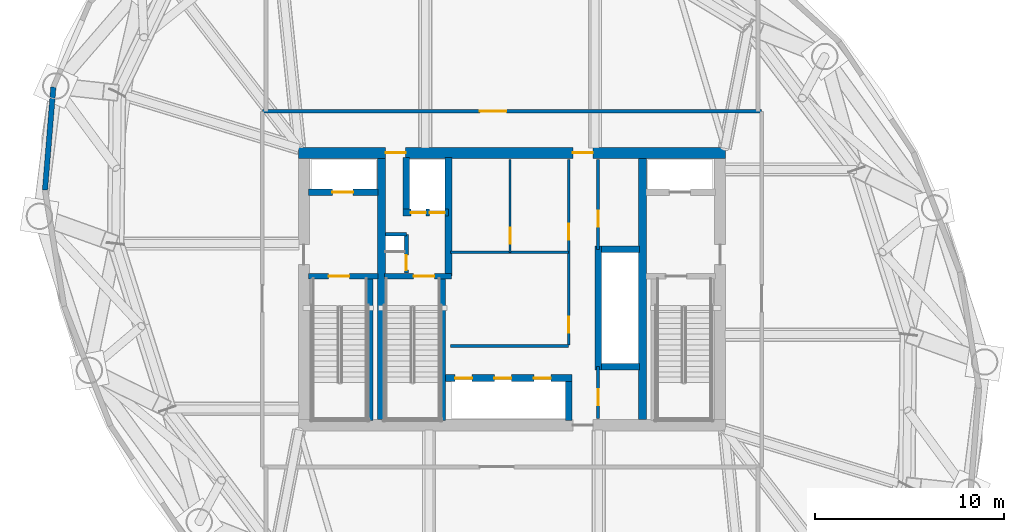
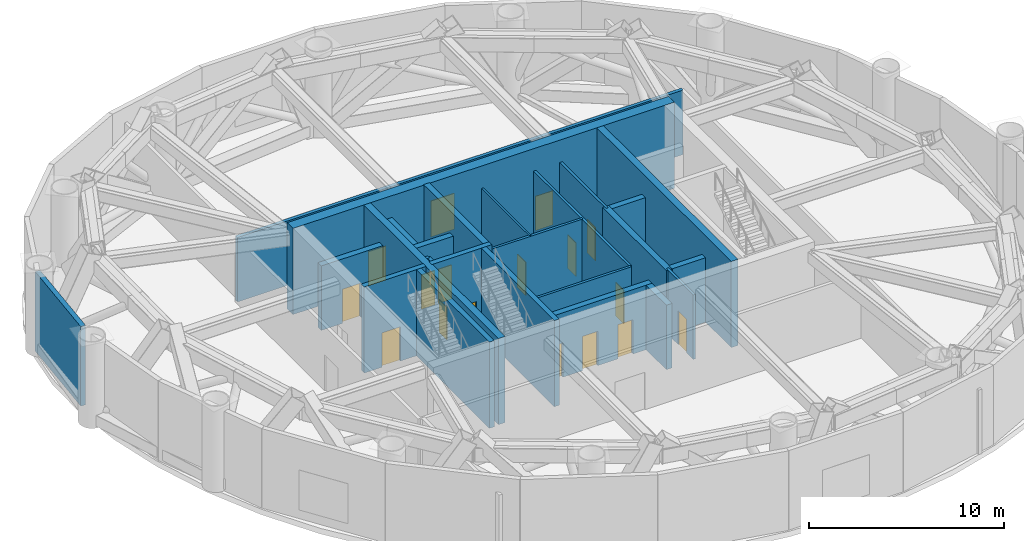
# One storey, part 5 of 10: 26 walls, 17 doors, 17 openings.
"""IFC4 building model written with IfcOpenShell, lengths in metres."""

from ifc_helpers import new_model, si_unit, direction, frame, frame_2d, origin, place, context, subcontext, project, spatial, rectangle, extrude, material, layer, layer_set, type_object, element, fill, save


model = new_model("IFC4")

# Units and contexts
model_context = context("Model", 3, precision=1e-05, world=origin(), true_north=direction((0.0, 1.0)))
body_context = subcontext(model_context, "Body", "Model", "MODEL_VIEW")
ifc_project = project(units=[si_unit("LENGTHUNIT", "METRE"), si_unit("AREAUNIT", "SQUARE_METRE"), si_unit("VOLUMEUNIT", "CUBIC_METRE"), si_unit("PLANEANGLEUNIT", "RADIAN"), si_unit("MASSUNIT", "GRAM", prefix="KILO")], contexts=[model_context])

# Site, building, storey
site_placement = place(None, origin())
site = spatial("IfcSite", under=ifc_project, at=site_placement, CompositionType="ELEMENT")
building_placement = place(site_placement, origin())
building = spatial("IfcBuilding", under=site, at=building_placement, Name="Bramvorn Convention Spire", CompositionType="ELEMENT")
storey_placement = place(building_placement, frame((0.0, 0.0, 165.800048828125)))
storey = spatial("IfcBuildingStorey", under=building, at=storey_placement, Name="L42", CompositionType="ELEMENT", Elevation=165.800048828125)

# Wall, openings, doors
ifc_material_1 = material(Name="Concrete C60/70", Category="concrete")
ifc_layer_1 = layer(ifc_material_1, 0.60009765625)
ifc_layer_set_1 = layer_set([ifc_layer_1], Name="Concrete C60/70 - WL-CORE-600")
wall_type_1 = type_object("IfcWallType", Name="WL-CORE-600", PredefinedType="SHEAR", material=ifc_layer_set_1)
wall_1_placement = place(storey_placement, frame((26.699951171875, 33.199951171875, 0.0), z_axis=(0.0, 0.0, 1.0), x_axis=(1.0, 0.0, 0.0)))
wall_1 = element("IfcWall", 1, at=wall_1_placement, inside=storey, type_object=wall_type_1, Name="L42 North RC core shear wall", PredefinedType="SHEAR", context=body_context, shape_type="SweptSolid", body=[
    extrude(rectangle(XDim=22.60009765625, YDim=0.60009765625, at=frame_2d((11.300048828125, 0.0))), origin(), (0.0, 0.0, 1.0), 5.39990234375),
])
opening_1_placement = place(wall_1_placement, frame((4.6201171875, 0.0, 0.0)))
opening_1 = element("IfcOpeningElement", 2, at=opening_1_placement, cuts=wall_1, Name="Opening DL-105", PredefinedType="OPENING", context=body_context, shape_type="SweptSolid", body=[
    extrude(rectangle(XDim=1.050048828125, YDim=2.14990234375, at=frame_2d((0.52490234375, 1.074951171875))), frame((0.0, 0.31005859375, 0.0), z_axis=(0.0, -1.0, 0.0), x_axis=(1.0, 0.0, 0.0)), (0.0, 0.0, 1.0), 0.6201171875),
])
opening_2_placement = place(wall_1_placement, frame((14.52001953125, 0.0, 0.0)))
opening_2 = element("IfcOpeningElement", 3, at=opening_2_placement, cuts=wall_1, Name="Opening DL-105", PredefinedType="OPENING", context=body_context, shape_type="SweptSolid", body=[
    extrude(rectangle(XDim=1.050048828125, YDim=2.14990234375, at=frame_2d((0.52490234375, 1.074951171875))), frame((0.0, 0.31005859375, 0.0), z_axis=(0.0, -1.0, 0.0), x_axis=(1.0, 0.0, 0.0)), (0.0, 0.0, 1.0), 0.6201171875),
])
ifc_material_2 = material(Name="Smoke-Sealed Fire Lobby Timber-Core Door", Category="wood")
door_type_1 = type_object("IfcDoorType", Name="DR-LOBBY-1050", OperationType="NOTDEFINED", PredefinedType="DOOR", material=ifc_material_2)
door_1_placement = place(opening_1_placement, origin())
door_1 = element("IfcDoor", 4, at=door_1_placement, inside=storey, type_object=door_type_1, Name="L42 Service & Stair ST3 Lobby north corridor door", OperationType="SINGLE_SWING_LEFT", OverallHeight=2.14990234375, OverallWidth=1.050048828125, PredefinedType="DOOR", context=body_context, shape_type="SweptSolid", body=[
    extrude(rectangle(XDim=1.050048828125, YDim=2.14990234375, at=frame_2d((0.52490234375, 1.074951171875))), frame((0.0, 0.02490234375, 0.0), z_axis=(0.0, -1.0, 0.0), x_axis=(1.0, 0.0, 0.0)), (0.0, 0.0, 1.0), 0.050048828125),
])
fill(opening_1, door_1)
door_2_placement = place(opening_2_placement, origin())
door_2 = element("IfcDoor", 5, at=door_2_placement, inside=storey, type_object=door_type_1, Name="L42 North Lift Lobby fire door", OperationType="SINGLE_SWING_LEFT", OverallHeight=2.14990234375, OverallWidth=1.050048828125, PredefinedType="DOOR", context=body_context, shape_type="SweptSolid", body=[
    extrude(rectangle(XDim=1.050048828125, YDim=2.14990234375, at=frame_2d((0.52490234375, 1.074951171875))), frame((0.0, 0.02490234375, 0.0), z_axis=(0.0, -1.0, 0.0), x_axis=(1.0, 0.0, 0.0)), (0.0, 0.0, 1.0), 0.050048828125),
])
fill(opening_2, door_2)

# Wall, opening, door
ifc_material_3 = material(Name="Concrete C50/60", Category="concrete")
ifc_layer_2 = layer(ifc_material_3, 0.35009765625)
ifc_layer_set_2 = layer_set([ifc_layer_2], Name="Concrete C50/60 - WL-CORE-INT-350")
wall_type_2 = type_object("IfcWallType", Name="WL-CORE-INT-350", PredefinedType="SHEAR", material=ifc_layer_set_2)
wall_2_placement = place(storey_placement, frame((27.25, 31.1201171875, 0.0), z_axis=(0.0, 0.0, 1.0), x_axis=(1.0, 0.0, 0.0)))
wall_2 = element("IfcWall", 6, at=wall_2_placement, inside=storey, type_object=wall_type_2, Name="L42 FE1 shaft front wall", PredefinedType="SHEAR", context=body_context, shape_type="SweptSolid", body=[
    extrude(rectangle(XDim=3.669921875, YDim=0.35009765625, at=frame_2d((1.8349609375, 0.0))), origin(), (0.0, 0.0, 1.0), 4.0400390625),
])
opening_3_placement = place(wall_2_placement, frame((1.25, 0.0, 0.0)))
opening_3 = element("IfcOpeningElement", 7, at=opening_3_placement, cuts=wall_2, Name="Opening LD-110", PredefinedType="OPENING", context=body_context, shape_type="SweptSolid", body=[
    extrude(rectangle(XDim=1.10009765625, YDim=2.14990234375, at=frame_2d((0.550048828125, 1.074951171875))), frame((0.0, 0.18505859375, 0.0), z_axis=(0.0, -1.0, 0.0), x_axis=(1.0, 0.0, 0.0)), (0.0, 0.0, 1.0), 0.3701171875),
])
ifc_material_4 = material(Name="Firefighting & Service Lift Sliding Landing Door", Category="steel")
door_type_2 = type_object("IfcDoorType", Name="DR-LIFT-LD-1100", OperationType="NOTDEFINED", PredefinedType="DOOR", material=ifc_material_4)
door_3_placement = place(opening_3_placement, origin())
door_3 = element("IfcDoor", 8, at=door_3_placement, inside=storey, type_object=door_type_2, Name="L42 Lift FE1 Sliding Landing Door", OperationType="SLIDING_TO_LEFT", OverallHeight=2.14990234375, OverallWidth=1.10009765625, PredefinedType="DOOR", context=body_context, shape_type="SweptSolid", body=[
    extrude(rectangle(XDim=1.10009765625, YDim=2.14990234375, at=frame_2d((0.550048828125, 1.074951171875))), frame((0.0, 0.02490234375, 0.0), z_axis=(0.0, -1.0, 0.0), x_axis=(1.0, 0.0, 0.0)), (0.0, 0.0, 1.0), 0.050048828125),
])
fill(opening_3, door_3)

# Wall
wall_3_placement = place(storey_placement, frame((34.639892578125, 26.68994140625, 0.0), z_axis=(0.0, 0.0, 1.0), x_axis=(0.0, 1.0, 0.0)))
element("IfcWall", 9, at=wall_3_placement, inside=storey, type_object=wall_type_2, Name="L42 SV east core shaft wall", PredefinedType="SHEAR", context=body_context, shape_type="SweptSolid", body=[
    extrude(rectangle(XDim=6.260009765625, YDim=0.35009765625, at=frame_2d((3.1298828125, 0.0))), origin(), (0.0, 0.0, 1.0), 5.39990234375),
])

# Wall, openings, doors
wall_4_placement = place(storey_placement, frame((32.22998046875, 30.050048828125, 0.0), z_axis=(0.0, 0.0, 1.0), x_axis=(1.0, 0.0, 0.0)))
wall_4 = element("IfcWall", 10, at=wall_4_placement, inside=storey, type_object=wall_type_2, Name="L42 SV1/SV2 shaft front wall", PredefinedType="SHEAR", context=body_context, shape_type="SweptSolid", body=[
    extrude(rectangle(XDim=2.409912109375, YDim=0.35009765625, at=frame_2d((1.205078125, 0.0))), origin(), (0.0, 0.0, 1.0), 4.0400390625),
])
opening_4_placement = place(wall_4_placement, frame((0.419921875, 0.0, 0.0)))
opening_4 = element("IfcOpeningElement", 11, at=opening_4_placement, cuts=wall_4, Name="Opening LD-080", PredefinedType="OPENING", context=body_context, shape_type="SweptSolid", body=[
    extrude(rectangle(XDim=0.800048828125, YDim=2.14990234375, at=frame_2d((0.39990234375, 1.074951171875))), frame((0.0, 0.18505859375, 0.0), z_axis=(0.0, -1.0, 0.0), x_axis=(1.0, 0.0, 0.0)), (0.0, 0.0, 1.0), 0.3701171875),
])
opening_5_placement = place(wall_4_placement, frame((1.419921875, 0.0, 0.0)))
opening_5 = element("IfcOpeningElement", 12, at=opening_5_placement, cuts=wall_4, Name="Opening LD-080", PredefinedType="OPENING", context=body_context, shape_type="SweptSolid", body=[
    extrude(rectangle(XDim=0.800048828125, YDim=2.14990234375, at=frame_2d((0.39990234375, 1.074951171875))), frame((0.0, 0.18505859375, 0.0), z_axis=(0.0, -1.0, 0.0), x_axis=(1.0, 0.0, 0.0)), (0.0, 0.0, 1.0), 0.3701171875),
])
ifc_material_5 = material(Name="Service Lift Bi-Parting Landing Door", Category="steel")
door_type_3 = type_object("IfcDoorType", Name="DR-LIFT-LD-800", OperationType="NOTDEFINED", PredefinedType="DOOR", material=ifc_material_5)
door_4_placement = place(opening_4_placement, origin())
door_4 = element("IfcDoor", 13, at=door_4_placement, inside=storey, type_object=door_type_3, Name="L42 Lift SV1 Sliding Landing Door", OperationType="SLIDING_TO_LEFT", OverallHeight=2.14990234375, OverallWidth=0.800048828125, PredefinedType="DOOR", context=body_context, shape_type="SweptSolid", body=[
    extrude(rectangle(XDim=0.800048828125, YDim=2.14990234375, at=frame_2d((0.39990234375, 1.074951171875))), frame((0.0, 0.02490234375, 0.0), z_axis=(0.0, -1.0, 0.0), x_axis=(1.0, 0.0, 0.0)), (0.0, 0.0, 1.0), 0.050048828125),
])
fill(opening_4, door_4)
door_5_placement = place(opening_5_placement, origin())
door_5 = element("IfcDoor", 14, at=door_5_placement, inside=storey, type_object=door_type_3, Name="L42 Lift SV2 Sliding Landing Door", OperationType="SLIDING_TO_LEFT", OverallHeight=2.14990234375, OverallWidth=0.800048828125, PredefinedType="DOOR", context=body_context, shape_type="SweptSolid", body=[
    extrude(rectangle(XDim=0.800048828125, YDim=2.14990234375, at=frame_2d((0.39990234375, 1.074951171875))), frame((0.0, 0.02490234375, 0.0), z_axis=(0.0, -1.0, 0.0), x_axis=(1.0, 0.0, 0.0)), (0.0, 0.0, 1.0), 0.050048828125),
])
fill(opening_5, door_5)

# Walls
wall_5_placement = place(storey_placement, frame((32.39990234375, 30.219970703125, 0.0), z_axis=(0.0, 0.0, 1.0), x_axis=(0.0, 1.0, 0.0)))
element("IfcWall", 15, at=wall_5_placement, inside=storey, type_object=wall_type_2, Name="L42 SV1 west hoistway wall", PredefinedType="SHEAR", context=body_context, shape_type="SweptSolid", body=[
    extrude(rectangle(XDim=2.72998046875, YDim=0.35009765625, at=frame_2d((1.364990234375, 0.0))), origin(), (0.0, 0.0, 1.0), 4.0400390625),
])
wall_6_placement = place(storey_placement, frame((42.550048828125, 21.72998046875, 0.0), z_axis=(0.0, 0.0, 1.0), x_axis=(0.0, 1.0, 0.0)))
element("IfcWall", 16, at=wall_6_placement, inside=storey, type_object=wall_type_2, Name="L42 High-rise lift bank west wall", PredefinedType="SHEAR", context=body_context, shape_type="SweptSolid", body=[
    extrude(rectangle(XDim=6.5400390625, YDim=0.35009765625, at=frame_2d((3.27001953125, 0.0))), origin(), (0.0, 0.0, 1.0), 4.0400390625),
])
for number, where, z_axis, x_axis, name in (
    (17, (42.719970703125, 21.89990234375, 0.0), (0.0, 0.0, 1.0), (1.0, 0.0, 0.0), "L42 High-rise lift bank south wall"),
    (18, (42.719970703125, 28.10009765625, 0.0), (0.0, 0.0, 1.0), (1.0, 0.0, 0.0), "L42 High-rise lift bank north wall"),
):
    element("IfcWall", number, at=place(storey_placement, frame(where, z_axis=z_axis, x_axis=x_axis)), inside=storey, type_object=wall_type_2, Name=name, PredefinedType="SHEAR", context=body_context, shape_type="SweptSolid", body=[
        extrude(rectangle(XDim=2.030029296875, YDim=0.35009765625, at=frame_2d((1.01513671875, 0.0))), origin(), (0.0, 0.0, 1.0), 4.0400390625),
    ])

# Wall, openings, doors
wall_7_placement = place(storey_placement, frame((34.489990234375, 21.300048828125, 0.0), z_axis=(0.0, 0.0, 1.0), x_axis=(1.0, 0.0, 0.0)))
wall_7 = element("IfcWall", 19, at=wall_7_placement, inside=storey, type_object=wall_type_2, Name="L42 Mid-rise bank north landing wall", PredefinedType="SHEAR", context=body_context, shape_type="SweptSolid", body=[
    extrude(rectangle(XDim=6.679931640625, YDim=0.35009765625, at=frame_2d((3.33984375, 0.0))), origin(), (0.0, 0.0, 1.0), 4.0400390625),
])
opening_6_placement = place(wall_7_placement, frame((0.5, 0.0, 0.0)))
opening_6 = element("IfcOpeningElement", 20, at=opening_6_placement, cuts=wall_7, Name="Opening LD-090", PredefinedType="OPENING", context=body_context, shape_type="SweptSolid", body=[
    extrude(rectangle(XDim=0.89990234375, YDim=2.14990234375, at=frame_2d((0.449951171875, 1.074951171875))), frame((0.0, 0.18505859375, 0.0), z_axis=(0.0, -1.0, 0.0), x_axis=(1.0, 0.0, 0.0)), (0.0, 0.0, 1.0), 0.3701171875),
])
opening_7_placement = place(wall_7_placement, frame((2.580078125, 0.0, 0.0)))
opening_7 = element("IfcOpeningElement", 21, at=opening_7_placement, cuts=wall_7, Name="Opening LD-090", PredefinedType="OPENING", context=body_context, shape_type="SweptSolid", body=[
    extrude(rectangle(XDim=0.89990234375, YDim=2.14990234375, at=frame_2d((0.449951171875, 1.074951171875))), frame((0.0, 0.18505859375, 0.0), z_axis=(0.0, -1.0, 0.0), x_axis=(1.0, 0.0, 0.0)), (0.0, 0.0, 1.0), 0.3701171875),
])
opening_8_placement = place(wall_7_placement, frame((4.659912109375, 0.0, 0.0)))
opening_8 = element("IfcOpeningElement", 22, at=opening_8_placement, cuts=wall_7, Name="Opening LD-090", PredefinedType="OPENING", context=body_context, shape_type="SweptSolid", body=[
    extrude(rectangle(XDim=0.89990234375, YDim=2.14990234375, at=frame_2d((0.449951171875, 1.074951171875))), frame((0.0, 0.18505859375, 0.0), z_axis=(0.0, -1.0, 0.0), x_axis=(1.0, 0.0, 0.0)), (0.0, 0.0, 1.0), 0.3701171875),
])
ifc_material_6 = material(Name="Bi-Parting Fire-Rated Lift Landing Door", Category="steel")
door_type_4 = type_object("IfcDoorType", Name="DR-LIFT-LD-900", OperationType="NOTDEFINED", PredefinedType="DOOR", material=ifc_material_6)
door_6_placement = place(opening_6_placement, origin())
door_6 = element("IfcDoor", 23, at=door_6_placement, inside=storey, type_object=door_type_4, Name="L42 Lift PM1 Sliding Landing Door", OperationType="SLIDING_TO_LEFT", OverallHeight=2.14990234375, OverallWidth=0.89990234375, PredefinedType="DOOR", context=body_context, shape_type="SweptSolid", body=[
    extrude(rectangle(XDim=0.89990234375, YDim=2.14990234375, at=frame_2d((0.449951171875, 1.074951171875))), frame((0.0, 0.02490234375, 0.0), z_axis=(0.0, -1.0, 0.0), x_axis=(1.0, 0.0, 0.0)), (0.0, 0.0, 1.0), 0.050048828125),
])
fill(opening_6, door_6)
door_7_placement = place(opening_7_placement, origin())
door_7 = element("IfcDoor", 24, at=door_7_placement, inside=storey, type_object=door_type_4, Name="L42 Lift PM2 Sliding Landing Door", OperationType="SLIDING_TO_LEFT", OverallHeight=2.14990234375, OverallWidth=0.89990234375, PredefinedType="DOOR", context=body_context, shape_type="SweptSolid", body=[
    extrude(rectangle(XDim=0.89990234375, YDim=2.14990234375, at=frame_2d((0.449951171875, 1.074951171875))), frame((0.0, 0.02490234375, 0.0), z_axis=(0.0, -1.0, 0.0), x_axis=(1.0, 0.0, 0.0)), (0.0, 0.0, 1.0), 0.050048828125),
])
fill(opening_7, door_7)
door_8_placement = place(opening_8_placement, origin())
door_8 = element("IfcDoor", 25, at=door_8_placement, inside=storey, type_object=door_type_4, Name="L42 Lift PM3 Sliding Landing Door", OperationType="SLIDING_TO_LEFT", OverallHeight=2.14990234375, OverallWidth=0.89990234375, PredefinedType="DOOR", context=body_context, shape_type="SweptSolid", body=[
    extrude(rectangle(XDim=0.89990234375, YDim=2.14990234375, at=frame_2d((0.449951171875, 1.074951171875))), frame((0.0, 0.02490234375, 0.0), z_axis=(0.0, -1.0, 0.0), x_axis=(1.0, 0.0, 0.0)), (0.0, 0.0, 1.0), 0.050048828125),
])
fill(opening_8, door_8)

# Walls
wall_8_placement = place(storey_placement, frame((41.0, 19.050048828125, 0.0), z_axis=(0.0, 0.0, 1.0), x_axis=(0.0, 1.0, 0.0)))
element("IfcWall", 26, at=wall_8_placement, inside=storey, type_object=wall_type_2, Name="L42 Mid-rise bank east cheek wall", PredefinedType="SHEAR", context=body_context, shape_type="SweptSolid", body=[
    extrude(rectangle(XDim=2.079833984375, YDim=0.35009765625, at=frame_2d((1.0400390625, 0.0))), origin(), (0.0, 0.0, 1.0), 4.0400390625),
])
ifc_layer_3 = layer(ifc_material_1, 0.39990234375)
ifc_layer_set_3 = layer_set([ifc_layer_3], Name="Concrete C60/70 - WL-CORE-INT-400")
wall_type_3 = type_object("IfcWallType", Name="WL-CORE-INT-400", PredefinedType="SHEAR", material=ifc_layer_set_3)
for number, where, z_axis, x_axis, name in (
    (27, (31.10009765625, 19.10009765625, 0.0), (0.0, 0.0, 1.0), (0.0, 1.0, 0.0), "L42 West internal core shear web"),
    (28, (44.89990234375, 19.10009765625, 0.0), (0.0, 0.0, 1.0), (0.0, 1.0, 0.0), "L42 East internal core shear web"),
):
    element("IfcWall", number, at=place(storey_placement, frame(where, z_axis=z_axis, x_axis=x_axis)), inside=storey, type_object=wall_type_3, Name=name, PredefinedType="SHEAR", context=body_context, shape_type="SweptSolid", body=[
        extrude(rectangle(XDim=13.7998046875, YDim=0.39990234375, at=frame_2d((6.89990234375, 0.0))), origin(), (0.0, 0.0, 1.0), 5.39990234375),
    ])
ifc_material_7 = material(Name="Precast Concrete C40/50 with Bronze Terracotta Rainscreen", Category="masonry")
ifc_layer_4 = layer(ifc_material_7, 0.300048828125)
ifc_layer_set_4 = layer_set([ifc_layer_4], Name="Precast Concrete C40/50 with Bronze Terracotta Rainscreen - WL-EXT-BRONZE-300")
wall_type_4 = type_object("IfcWallType", Name="WL-EXT-BRONZE-300", PredefinedType="SOLIDWALL", material=ifc_layer_set_4)
wall_9_placement = place(storey_placement, frame((13.311279296875, 31.240966796875, 0.0), z_axis=(0.0, 0.0, 1.0), x_axis=(0.081000608554, 0.99671405198, 0.0)))
element("IfcWall", 29, at=wall_9_placement, inside=storey, type_object=wall_type_4, Name="L42 expressed bronze Gothic lancet pier wall 14", PredefinedType="SOLIDWALL", context=body_context, shape_type="SweptSolid", body=[
    extrude(rectangle(XDim=5.464599609375, YDim=0.280029296875, at=frame_2d((2.732421875, 0.0))), origin(), (0.0, 0.0, 1.0), 4.97998046875),
])

# Wall, opening, door
ifc_material_8 = material(Name="Lightweight En-Suite & Wet-Wall Partition", Category="gypsum")
ifc_layer_5 = layer(ifc_material_8, 0.110107421875)
ifc_layer_set_5 = layer_set([ifc_layer_5], Name="Lightweight En-Suite & Wet-Wall Partition - WL-PART-110")
wall_type_5 = type_object("IfcWallType", Name="WL-PART-110", PredefinedType="PARTITIONING", material=ifc_layer_set_5)
wall_10_placement = place(storey_placement, frame((37.89990234375, 27.949951171875, 0.0), z_axis=(0.0, 0.0, 1.0), x_axis=(0.0, 1.0, 0.0)))
wall_10 = element("IfcWall", 30, at=wall_10_placement, inside=storey, type_object=wall_type_5, Name="L42 Core restroom subwall", PredefinedType="PARTITIONING", context=body_context, shape_type="SweptSolid", body=[
    extrude(rectangle(XDim=4.900146484375, YDim=0.110107421875, at=frame_2d((2.4501953125, 0.0))), origin(), (0.0, 0.0, 1.0), 4.0400390625),
])
opening_9_placement = place(wall_10_placement, frame((0.449951171875, 0.0, 0.0)))
opening_9 = element("IfcOpeningElement", 31, at=opening_9_placement, cuts=wall_10, Name="Opening DC-085", PredefinedType="OPENING", context=body_context, shape_type="SweptSolid", body=[
    extrude(rectangle(XDim=0.85009765625, YDim=2.10009765625, at=frame_2d((0.425048828125, 1.050048828125))), frame((0.0, 0.06494140625, 0.0), z_axis=(0.0, -1.0, 0.0), x_axis=(1.0, 0.0, 0.0)), (0.0, 0.0, 1.0), 0.130126953125),
])
ifc_material_9 = material(Name="Fire-Rated Core Washroom & IDF Door", Category="wood")
door_type_5 = type_object("IfcDoorType", Name="DR-CORE-850", OperationType="NOTDEFINED", PredefinedType="DOOR", material=ifc_material_9)
door_9_placement = place(opening_9_placement, origin())
door_9 = element("IfcDoor", 32, at=door_9_placement, inside=storey, type_object=door_type_5, Name="L42 Core telecom store door", OperationType="SINGLE_SWING_LEFT", OverallHeight=2.10009765625, OverallWidth=0.85009765625, PredefinedType="DOOR", context=body_context, shape_type="SweptSolid", body=[
    extrude(rectangle(XDim=0.85009765625, YDim=2.10009765625, at=frame_2d((0.425048828125, 1.050048828125))), frame((0.0, 0.02490234375, 0.0), z_axis=(0.0, -1.0, 0.0), x_axis=(1.0, 0.0, 0.0)), (0.0, 0.0, 1.0), 0.050048828125),
])
fill(opening_9, door_9)

# Wall
ifc_material_10 = material(Name="Acoustic Metal-Stud Tenant/Corridor Partition", Category="gypsum")
ifc_layer_6 = layer(ifc_material_10, 0.14990234375)
ifc_layer_set_6 = layer_set([ifc_layer_6], Name="Acoustic Metal-Stud Tenant/Corridor Partition - WL-PART-150")
wall_type_6 = type_object("IfcWallType", Name="WL-PART-150", PredefinedType="PARTITIONING", material=ifc_layer_set_6)
wall_11_placement = place(storey_placement, frame((34.75, 23.0, 0.0), z_axis=(0.0, 0.0, 1.0), x_axis=(1.0, 0.0, 0.0)))
element("IfcWall", 33, at=wall_11_placement, inside=storey, type_object=wall_type_6, Name="L42 Mid-rise lift vestibule north wall", PredefinedType="PARTITIONING", context=body_context, shape_type="SweptSolid", body=[
    extrude(rectangle(XDim=6.25, YDim=0.14990234375, at=frame_2d((3.125, 0.0))), origin(), (0.0, 0.0, 1.0), 4.0400390625),
])

# Wall, openings, doors
wall_12_placement = place(storey_placement, frame((41.0, 23.050048828125, 0.0), z_axis=(0.0, 0.0, 1.0), x_axis=(0.0, 1.0, 0.0)))
wall_12 = element("IfcWall", 34, at=wall_12_placement, inside=storey, type_object=wall_type_6, Name="L42 Core room east wall", PredefinedType="PARTITIONING", context=body_context, shape_type="SweptSolid", body=[
    extrude(rectangle(XDim=9.800048828125, YDim=0.14990234375, at=frame_2d((4.89990234375, 0.0))), origin(), (0.0, 0.0, 1.0), 4.0400390625),
])
opening_10_placement = place(wall_12_placement, frame((0.64990234375, 0.0, 0.0)))
opening_10 = element("IfcOpeningElement", 35, at=opening_10_placement, cuts=wall_12, Name="Opening DC-085", PredefinedType="OPENING", context=body_context, shape_type="SweptSolid", body=[
    extrude(rectangle(XDim=0.85009765625, YDim=2.10009765625, at=frame_2d((0.425048828125, 1.050048828125))), frame((0.0, 0.0849609375, 0.0), z_axis=(0.0, -1.0, 0.0), x_axis=(1.0, 0.0, 0.0)), (0.0, 0.0, 1.0), 0.169921875),
])
opening_11_placement = place(wall_12_placement, frame((5.550048828125, 0.0, 0.0)))
opening_11 = element("IfcOpeningElement", 36, at=opening_11_placement, cuts=wall_12, Name="Opening DC-085", PredefinedType="OPENING", context=body_context, shape_type="SweptSolid", body=[
    extrude(rectangle(XDim=0.85009765625, YDim=2.10009765625, at=frame_2d((0.425048828125, 1.050048828125))), frame((0.0, 0.0849609375, 0.0), z_axis=(0.0, -1.0, 0.0), x_axis=(1.0, 0.0, 0.0)), (0.0, 0.0, 1.0), 0.169921875),
])
door_10_placement = place(opening_10_placement, origin())
door_10 = element("IfcDoor", 37, at=door_10_placement, inside=storey, type_object=door_type_5, Name="L42 Core room 1 door", OperationType="SINGLE_SWING_LEFT", OverallHeight=2.10009765625, OverallWidth=0.85009765625, PredefinedType="DOOR", context=body_context, shape_type="SweptSolid", body=[
    extrude(rectangle(XDim=0.85009765625, YDim=2.10009765625, at=frame_2d((0.425048828125, 1.050048828125))), frame((0.0, 0.02490234375, 0.0), z_axis=(0.0, -1.0, 0.0), x_axis=(1.0, 0.0, 0.0)), (0.0, 0.0, 1.0), 0.050048828125),
])
fill(opening_10, door_10)
door_11_placement = place(opening_11_placement, origin())
door_11 = element("IfcDoor", 38, at=door_11_placement, inside=storey, type_object=door_type_5, Name="L42 Core room 2 door", OperationType="SINGLE_SWING_LEFT", OverallHeight=2.10009765625, OverallWidth=0.85009765625, PredefinedType="DOOR", context=body_context, shape_type="SweptSolid", body=[
    extrude(rectangle(XDim=0.85009765625, YDim=2.10009765625, at=frame_2d((0.425048828125, 1.050048828125))), frame((0.0, 0.02490234375, 0.0), z_axis=(0.0, -1.0, 0.0), x_axis=(1.0, 0.0, 0.0)), (0.0, 0.0, 1.0), 0.050048828125),
])
fill(opening_11, door_11)

# Wall
wall_13_placement = place(storey_placement, frame((34.75, 27.949951171875, 0.0), z_axis=(0.0, 0.0, 1.0), x_axis=(1.0, 0.0, 0.0)))
element("IfcWall", 39, at=wall_13_placement, inside=storey, type_object=wall_type_6, Name="L42 Core room divider", PredefinedType="PARTITIONING", context=body_context, shape_type="SweptSolid", body=[
    extrude(rectangle(XDim=6.25, YDim=0.14990234375, at=frame_2d((3.125, 0.0))), origin(), (0.0, 0.0, 1.0), 4.0400390625),
])

# Wall, opening, door
wall_14_placement = place(storey_placement, frame((42.550048828125, 28.10009765625, 0.0), z_axis=(0.0, 0.0, 1.0), x_axis=(0.0, 1.0, 0.0)))
wall_14 = element("IfcWall", 40, at=wall_14_placement, inside=storey, type_object=wall_type_6, Name="L42 Core NE store wall", PredefinedType="PARTITIONING", context=body_context, shape_type="SweptSolid", body=[
    extrude(rectangle(XDim=4.75, YDim=0.14990234375, at=frame_2d((2.375, 0.0))), origin(), (0.0, 0.0, 1.0), 4.0400390625),
])
opening_12_placement = place(wall_14_placement, frame((1.199951171875, 0.0, 0.0)))
opening_12 = element("IfcOpeningElement", 41, at=opening_12_placement, cuts=wall_14, Name="Opening DC-085", PredefinedType="OPENING", context=body_context, shape_type="SweptSolid", body=[
    extrude(rectangle(XDim=0.85009765625, YDim=2.10009765625, at=frame_2d((0.425048828125, 1.050048828125))), frame((0.0, 0.0849609375, 0.0), z_axis=(0.0, -1.0, 0.0), x_axis=(1.0, 0.0, 0.0)), (0.0, 0.0, 1.0), 0.169921875),
])
door_12_placement = place(opening_12_placement, origin())
door_12 = element("IfcDoor", 42, at=door_12_placement, inside=storey, type_object=door_type_5, Name="L42 Core NE store door", OperationType="SINGLE_SWING_LEFT", OverallHeight=2.10009765625, OverallWidth=0.85009765625, PredefinedType="DOOR", context=body_context, shape_type="SweptSolid", body=[
    extrude(rectangle(XDim=0.85009765625, YDim=2.10009765625, at=frame_2d((0.425048828125, 1.050048828125))), frame((0.0, 0.02490234375, 0.0), z_axis=(0.0, -1.0, 0.0), x_axis=(1.0, 0.0, 0.0)), (0.0, 0.0, 1.0), 0.050048828125),
])
fill(opening_12, door_12)

wall_15_placement = place(storey_placement, frame((42.550048828125, 19.14990234375, 0.0), z_axis=(0.0, 0.0, 1.0), x_axis=(0.0, 1.0, 0.0)))
wall_15 = element("IfcWall", 43, at=wall_15_placement, inside=storey, type_object=wall_type_6, Name="L42 Core SE riser wall", PredefinedType="PARTITIONING", context=body_context, shape_type="SweptSolid", body=[
    extrude(rectangle(XDim=2.75, YDim=0.14990234375, at=frame_2d((1.375, 0.0))), origin(), (0.0, 0.0, 1.0), 4.0400390625),
])
opening_13_placement = place(wall_15_placement, frame((0.699951171875, 0.0, 0.0)))
opening_13 = element("IfcOpeningElement", 44, at=opening_13_placement, cuts=wall_15, Name="Opening DC-085", PredefinedType="OPENING", context=body_context, shape_type="SweptSolid", body=[
    extrude(rectangle(XDim=0.85009765625, YDim=2.10009765625, at=frame_2d((0.425048828125, 1.050048828125))), frame((0.0, 0.0849609375, 0.0), z_axis=(0.0, -1.0, 0.0), x_axis=(1.0, 0.0, 0.0)), (0.0, 0.0, 1.0), 0.169921875),
])
door_13_placement = place(opening_13_placement, origin())
door_13 = element("IfcDoor", 45, at=door_13_placement, inside=storey, type_object=door_type_5, Name="L42 Core SE riser door", OperationType="SINGLE_SWING_LEFT", OverallHeight=2.10009765625, OverallWidth=0.85009765625, PredefinedType="DOOR", context=body_context, shape_type="SweptSolid", body=[
    extrude(rectangle(XDim=0.85009765625, YDim=2.10009765625, at=frame_2d((0.425048828125, 1.050048828125))), frame((0.0, 0.02490234375, 0.0), z_axis=(0.0, -1.0, 0.0), x_axis=(1.0, 0.0, 0.0)), (0.0, 0.0, 1.0), 0.050048828125),
])
fill(opening_13, door_13)

ifc_material_11 = material(Name="Gypsum Shaftwall & Rockwool Core Partition", Category="gypsum")
ifc_layer_7 = layer(ifc_material_11, 0.199951171875)
ifc_layer_set_7 = layer_set([ifc_layer_7], Name="Gypsum Shaftwall & Rockwool Core Partition - WL-PART-200-FR")
wall_type_7 = type_object("IfcWallType", Name="WL-PART-200-FR", PredefinedType="PARTITIONING", material=ifc_layer_set_7)
wall_16_placement = place(storey_placement, frame((32.419921875, 26.860107421875, 0.0), z_axis=(0.0, 0.0, 1.0), x_axis=(0.0, 1.0, 0.0)))
wall_16 = element("IfcWall", 46, at=wall_16_placement, inside=storey, type_object=wall_type_7, Name="L42 Telecom riser east wall", PredefinedType="PARTITIONING", context=body_context, shape_type="SweptSolid", body=[
    extrude(rectangle(XDim=2.039794921875, YDim=0.199951171875, at=frame_2d((1.02001953125, 0.0))), origin(), (0.0, 0.0, 1.0), 4.0400390625),
])
opening_14_placement = place(wall_16_placement, frame((0.139892578125, 0.0, 0.0)))
opening_14 = element("IfcOpeningElement", 47, at=opening_14_placement, cuts=wall_16, Name="Opening DR-080", PredefinedType="OPENING", context=body_context, shape_type="SweptSolid", body=[
    extrude(rectangle(XDim=0.800048828125, YDim=2.050048828125, at=frame_2d((0.39990234375, 1.02490234375))), frame((0.0, 0.10986328125, 0.0), z_axis=(0.0, -1.0, 0.0), x_axis=(1.0, 0.0, 0.0)), (0.0, 0.0, 1.0), 0.219970703125),
])
ifc_material_12 = material(Name="Flush Steel Riser Access Door", Category="steel")
door_type_6 = type_object("IfcDoorType", Name="DR-RISER-800", OperationType="NOTDEFINED", PredefinedType="DOOR", material=ifc_material_12)
door_14_placement = place(opening_14_placement, origin())
door_14 = element("IfcDoor", 48, at=door_14_placement, inside=storey, type_object=door_type_6, Name="L42 Telecom riser access door", OperationType="SINGLE_SWING_RIGHT", OverallHeight=2.050048828125, OverallWidth=0.800048828125, PredefinedType="DOOR", context=body_context, shape_type="SweptSolid", body=[
    extrude(rectangle(XDim=0.800048828125, YDim=2.050048828125, at=frame_2d((0.39990234375, 1.02490234375))), frame((0.0, 0.02490234375, 0.0), z_axis=(0.0, -1.0, 0.0), x_axis=(1.0, 0.0, 0.0)), (0.0, 0.0, 1.0), 0.050048828125),
])
fill(opening_14, door_14)

# Wall
wall_17_placement = place(storey_placement, frame((31.300048828125, 28.89990234375, 0.0), z_axis=(0.0, 0.0, 1.0), x_axis=(1.0, 0.0, 0.0)))
element("IfcWall", 49, at=wall_17_placement, inside=storey, type_object=wall_type_7, Name="L42 Telecom riser north wall", PredefinedType="PARTITIONING", context=body_context, shape_type="SweptSolid", body=[
    extrude(rectangle(XDim=1.119873046875, YDim=0.199951171875, at=frame_2d((0.56005859375, 0.0))), origin(), (0.0, 0.0, 1.0), 4.0400390625),
])

# Wall, opening, door
wall_18_placement = place(storey_placement, frame((24.800048828125, 35.39990234375, 0.0), z_axis=(0.0, 0.0, 1.0), x_axis=(1.0, 0.0, 0.0)))
wall_18 = element("IfcWall", 50, at=wall_18_placement, inside=storey, type_object=wall_type_7, Name="L42 Plant corridor north wall", PredefinedType="PARTITIONING", context=body_context, shape_type="SweptSolid", body=[
    extrude(rectangle(XDim=26.39990234375, YDim=0.199951171875, at=frame_2d((13.199951171875, 0.0))), origin(), (0.0, 0.0, 1.0), 4.0400390625),
])
opening_15_placement = place(wall_18_placement, frame((11.5, 0.0, 0.0)))
opening_15 = element("IfcOpeningElement", 51, at=opening_15_placement, cuts=wall_18, Name="Opening DP-140", PredefinedType="OPENING", context=body_context, shape_type="SweptSolid", body=[
    extrude(rectangle(XDim=1.39990234375, YDim=2.25, at=frame_2d((0.699951171875, 1.125))), frame((0.0, 0.10986328125, 0.0), z_axis=(0.0, -1.0, 0.0), x_axis=(1.0, 0.0, 0.0)), (0.0, 0.0, 1.0), 0.219970703125),
])
ifc_material_13 = material(Name="Heavy-Duty Acoustic Louvre Plant Room Door", Category="steel")
door_type_7 = type_object("IfcDoorType", Name="DR-PLANT-1400", OperationType="NOTDEFINED", PredefinedType="DOOR", material=ifc_material_13)
door_15_placement = place(opening_15_placement, origin())
door_15 = element("IfcDoor", 52, at=door_15_placement, inside=storey, type_object=door_type_7, Name="L42 Dedicated Outdoor Air & ERV Plant door", OperationType="DOUBLE_DOOR_SINGLE_SWING", OverallHeight=2.25, OverallWidth=1.39990234375, PredefinedType="DOOR", context=body_context, shape_type="SweptSolid", body=[
    extrude(rectangle(XDim=1.39990234375, YDim=2.25, at=frame_2d((0.699951171875, 1.125))), frame((0.0, 0.02490234375, 0.0), z_axis=(0.0, -1.0, 0.0), x_axis=(1.0, 0.0, 0.0)), (0.0, 0.0, 1.0), 0.050048828125),
])
fill(opening_15, door_15)

ifc_layer_8 = layer(ifc_material_3, 0.300048828125)
ifc_layer_set_8 = layer_set([ifc_layer_8], Name="Concrete C50/60 - WL-POD-STAIR-300")
wall_type_8 = type_object("IfcWallType", Name="WL-POD-STAIR-300", PredefinedType="SHEAR", material=ifc_layer_set_8)
wall_19_placement = place(storey_placement, frame((27.25, 26.68994140625, 0.0), z_axis=(0.0, 0.0, 1.0), x_axis=(1.0, 0.0, 0.0)))
wall_19 = element("IfcWall", 53, at=wall_19_placement, inside=storey, type_object=wall_type_8, Name="L42 ST1 north fire wall", PredefinedType="SHEAR", context=body_context, shape_type="SweptSolid", body=[
    extrude(rectangle(XDim=3.669921875, YDim=0.300048828125, at=frame_2d((1.8349609375, 0.0))), origin(), (0.0, 0.0, 1.0), 5.39990234375),
])
opening_16_placement = place(wall_19_placement, frame((1.050048828125, 0.0, 0.0)))
opening_16 = element("IfcOpeningElement", 54, at=opening_16_placement, cuts=wall_19, Name="Opening DS-110", PredefinedType="OPENING", context=body_context, shape_type="SweptSolid", body=[
    extrude(rectangle(XDim=1.10009765625, YDim=2.14990234375, at=frame_2d((0.550048828125, 1.074951171875))), frame((0.0, 0.159912109375, 0.0), z_axis=(0.0, -1.0, 0.0), x_axis=(1.0, 0.0, 0.0)), (0.0, 0.0, 1.0), 0.320068359375),
])
ifc_material_14 = material(Name="Fire-Rated Hollow Steel Stairwell Door", Category="steel")
door_type_8 = type_object("IfcDoorType", Name="DR-STAIR-1100", OperationType="NOTDEFINED", PredefinedType="DOOR", material=ifc_material_14)
door_16_placement = place(opening_16_placement, origin())
door_16 = element("IfcDoor", 55, at=door_16_placement, inside=storey, type_object=door_type_8, Name="L42 Stair ST1 fire door", OperationType="SINGLE_SWING_LEFT", OverallHeight=2.14990234375, OverallWidth=1.10009765625, PredefinedType="DOOR", context=body_context, shape_type="SweptSolid", body=[
    extrude(rectangle(XDim=1.10009765625, YDim=2.14990234375, at=frame_2d((0.550048828125, 1.074951171875))), frame((0.0, 0.02490234375, 0.0), z_axis=(0.0, -1.0, 0.0), x_axis=(1.0, 0.0, 0.0)), (0.0, 0.0, 1.0), 0.050048828125),
])
fill(opening_16, door_16)

# Walls
for number, where, z_axis, x_axis, name in (
    (56, (30.489990234375, 19.050048828125, 0.0), (0.0, 0.0, 1.0), (0.0, 1.0, 0.0), "L42 ST1 east bearing wall"),
    (57, (34.340087890625, 19.050048828125, 0.0), (0.0, 0.0, 1.0), (0.0, 1.0, 0.0), "L42 ST3 east bearing wall"),
):
    element("IfcWall", number, at=place(storey_placement, frame(where, z_axis=z_axis, x_axis=x_axis)), inside=storey, type_object=wall_type_8, Name=name, PredefinedType="SHEAR", context=body_context, shape_type="SweptSolid", body=[
        extrude(rectangle(XDim=7.5, YDim=0.300048828125, at=frame_2d((3.75, 0.0))), origin(), (0.0, 0.0, 1.0), 5.39990234375),
    ])

# Wall, opening, door
wall_20_placement = place(storey_placement, frame((31.25, 26.68994140625, 0.0), z_axis=(0.0, 0.0, 1.0), x_axis=(1.0, 0.0, 0.0)))
wall_20 = element("IfcWall", 58, at=wall_20_placement, inside=storey, type_object=wall_type_8, Name="L42 ST3 north lobby wall", PredefinedType="SHEAR", context=body_context, shape_type="SweptSolid", body=[
    extrude(rectangle(XDim=3.56005859375, YDim=0.300048828125, at=frame_2d((1.780029296875, 0.0))), origin(), (0.0, 0.0, 1.0), 5.39990234375),
])
opening_17_placement = place(wall_20_placement, frame((1.550048828125, 0.0, 0.0)))
opening_17 = element("IfcOpeningElement", 59, at=opening_17_placement, cuts=wall_20, Name="Opening DS-110", PredefinedType="OPENING", context=body_context, shape_type="SweptSolid", body=[
    extrude(rectangle(XDim=1.10009765625, YDim=2.14990234375, at=frame_2d((0.550048828125, 1.074951171875))), frame((0.0, 0.159912109375, 0.0), z_axis=(0.0, -1.0, 0.0), x_axis=(1.0, 0.0, 0.0)), (0.0, 0.0, 1.0), 0.320068359375),
])
door_17_placement = place(opening_17_placement, origin())
door_17 = element("IfcDoor", 60, at=door_17_placement, inside=storey, type_object=door_type_8, Name="L42 Stair ST3 fire door", OperationType="SINGLE_SWING_LEFT", OverallHeight=2.14990234375, OverallWidth=1.10009765625, PredefinedType="DOOR", context=body_context, shape_type="SweptSolid", body=[
    extrude(rectangle(XDim=1.10009765625, YDim=2.14990234375, at=frame_2d((0.550048828125, 1.074951171875))), frame((0.0, 0.02490234375, 0.0), z_axis=(0.0, -1.0, 0.0), x_axis=(1.0, 0.0, 0.0)), (0.0, 0.0, 1.0), 0.050048828125),
])
fill(opening_17, door_17)

save(model, "model.ifc")
